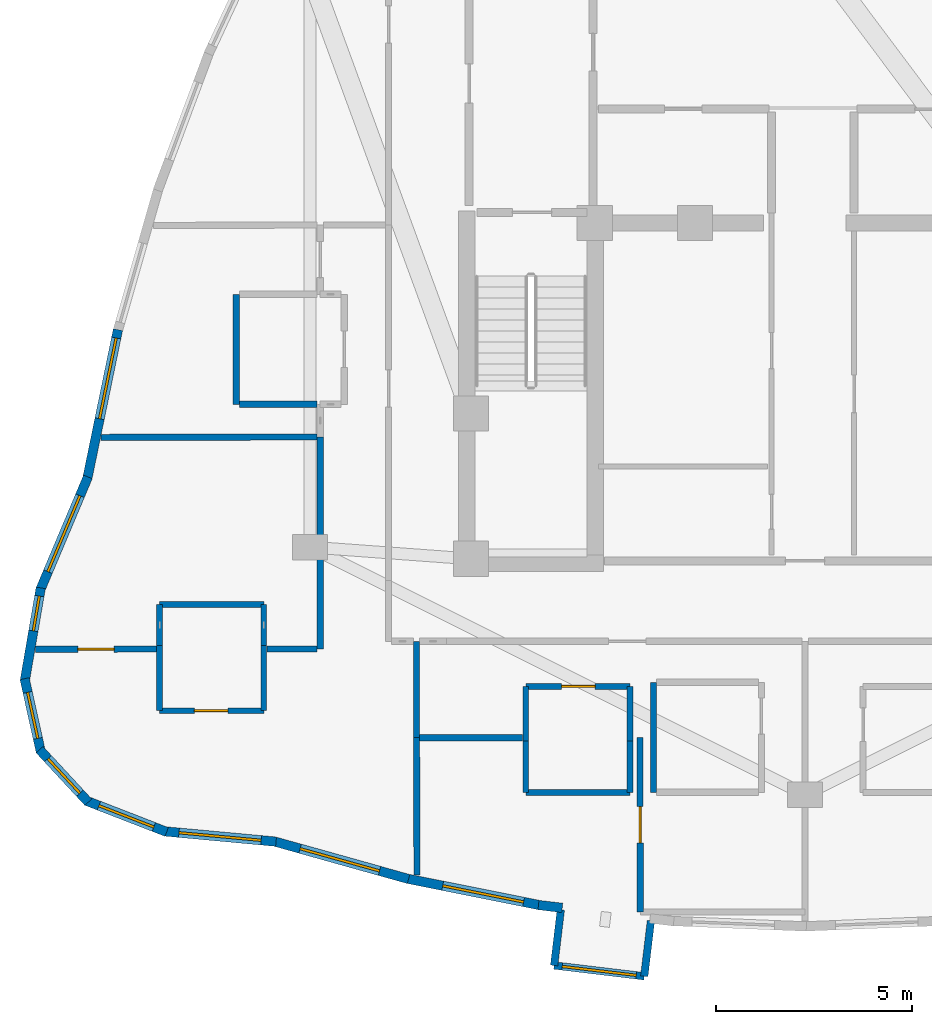
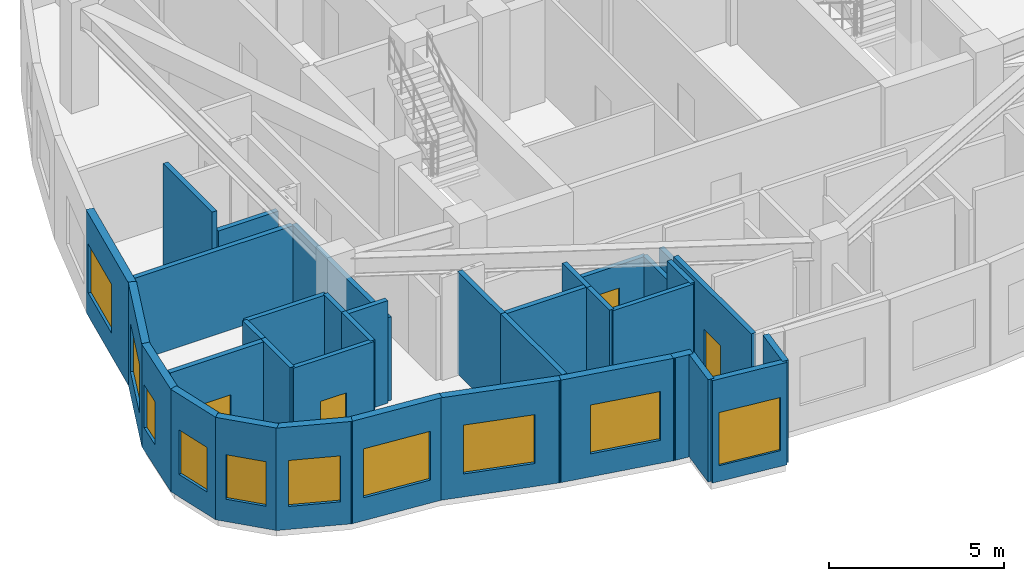
# One storey, part 7 of 13: 36 walls, 10 windows, 4 doors, 14 openings.
"""IFC4 building model written with IfcOpenShell, lengths in metres."""

from ifc_helpers import new_model, si_unit, direction, frame, frame_2d, origin, place, context, subcontext, project, spatial, rectangle, extrude, material, layer, layer_set, type_object, element, fill, save


model = new_model("IFC4")

# Units and contexts
model_context = context("Model", 3, precision=1e-05, world=origin(), true_north=direction((0.0, 1.0)))
body_context = subcontext(model_context, "Body", "Model", "MODEL_VIEW")
ifc_project = project(units=[si_unit("LENGTHUNIT", "METRE"), si_unit("AREAUNIT", "SQUARE_METRE"), si_unit("VOLUMEUNIT", "CUBIC_METRE"), si_unit("PLANEANGLEUNIT", "RADIAN"), si_unit("MASSUNIT", "GRAM", prefix="KILO")], contexts=[model_context])

# Site, building, storey
site_placement = place(None, origin())
site = spatial("IfcSite", under=ifc_project, at=site_placement, CompositionType="ELEMENT")
building_placement = place(site_placement, origin())
building = spatial("IfcBuilding", under=site, at=building_placement, Name="Miruveldt Soraemaru", CompositionType="ELEMENT")
storey_placement = place(building_placement, frame((0.0, 0.0, 252.0)))
storey = spatial("IfcBuildingStorey", under=building, at=storey_placement, Name="L69", CompositionType="ELEMENT", Elevation=252.0)

# Walls
ifc_material_1 = material(Name="White powder-coated aluminium EN AW-6060 T6", Category="aluminium")
ifc_layer_1 = layer(ifc_material_1, 0.18994140625, Name="White powder-coated aluminium EN AW-6060 T6", Category="aluminium")
ifc_layer_set_1 = layer_set([ifc_layer_1], Name="White powder-coated aluminium EN AW-6060 T6")
wall_type_1 = type_object("IfcWallType", Name="WALL-BAY-ALU190", PredefinedType="SOLIDWALL", material=ifc_layer_set_1)
for number, where, z_axis, x_axis, name in (
    (1, (37.783935546875, 26.564697265625, 0.0), (0.0, 0.0, 1.0), (-0.119077659317, -0.992884943511, 0.0), "L69 Bay Window Side Cheek 1L"),
    (2, (39.90869140625, 24.87451171875, 0.0), (0.0, 0.0, 1.0), (0.119246559468, 0.992864672579, 0.0), "L69 Bay Window Side Cheek 1R"),
):
    element("IfcWall", number, at=place(storey_placement, frame(where, z_axis=z_axis, x_axis=x_axis)), inside=storey, type_object=wall_type_1, Name=name, PredefinedType="SOLIDWALL", context=body_context, shape_type="SweptSolid", body=[
        extrude(rectangle(XDim=1.425048828125, YDim=0.18994140625, at=frame_2d((0.71240234375, 0.0))), origin(), (0.0, 0.0, 1.0), 3.56494140625),
    ])

# Wall, opening, window
wall_1_placement = place(storey_placement, frame((37.6142578125, 25.14990234375, 0.0), z_axis=(0.0, 0.0, 1.0), x_axis=(0.992873838721, -0.119170216012, 0.0)))
wall_1 = element("IfcWall", 3, at=wall_1_placement, inside=storey, type_object=wall_type_1, Name="L69 Bay Window Front Frame 1", PredefinedType="SOLIDWALL", context=body_context, shape_type="SweptSolid", body=[
    extrude(rectangle(XDim=2.310791015625, YDim=0.18994140625, at=frame_2d((1.1552734375, 0.0))), origin(), (0.0, 0.0, 1.0), 3.56494140625),
])
opening_1_placement = place(wall_1_placement, frame((0.2060546875, 0.0, 0.550048828125)))
opening_1 = element("IfcOpeningElement", 4, at=opening_1_placement, cuts=wall_1, Name="Opening WN-6", PredefinedType="OPENING", context=body_context, shape_type="SweptSolid", body=[
    extrude(rectangle(XDim=1.89990234375, YDim=1.85009765625, at=frame_2d((0.949951171875, 0.925048828125))), frame((0.0, 0.10498046875, 0.0), z_axis=(0.0, -1.0, 0.0), x_axis=(1.0, 0.0, 0.0)), (0.0, 0.0, 1.0), 0.2099609375),
])
ifc_material_2 = material(Name="Triple low-e insulated glazing", Category="glass")
window_type_1 = type_object("IfcWindowType", Name="WIN-BAYW-1900x1850", PartitioningType="SINGLE_PANEL", PredefinedType="WINDOW", material=ifc_material_2)
window_1_placement = place(opening_1_placement, origin())
window_1 = element("IfcWindow", 5, at=window_1_placement, inside=storey, type_object=window_type_1, Name="L69 Projecting Bay Window 1", OverallHeight=1.85009765625, OverallWidth=1.89990234375, PartitioningType="SINGLE_PANEL", PredefinedType="WINDOW", context=body_context, shape_type="SweptSolid", body=[
    extrude(rectangle(XDim=1.89990234375, YDim=1.85009765625, at=frame_2d((0.949951171875, 0.925048828125))), frame((0.0, 0.030029296875, 0.0), z_axis=(0.0, -1.0, 0.0), x_axis=(1.0, 0.0, 0.0)), (0.0, 0.0, 1.0), 0.06005859375),
])
fill(opening_1, window_1)

ifc_material_3 = material(Name="Precast concrete C45/55 (45 MPa)", Category="concrete")
ifc_layer_2 = layer(ifc_material_3, 0.239990234375, Name="Precast concrete C45/55 (45 MPa)", Category="concrete")
ifc_layer_set_2 = layer_set([ifc_layer_2], Name="Precast concrete C45/55 (45 MPa)")
wall_type_2 = type_object("IfcWallType", Name="WALL-EXT-PC240", PredefinedType="SOLIDWALL", material=ifc_layer_set_2)
wall_2_placement = place(storey_placement, frame((26.51025390625, 41.334716796875, 0.0), z_axis=(0.0, 0.0, 1.0), x_axis=(-0.201598089636, -0.979468330399, 0.0)))
wall_2 = element("IfcWall", 6, at=wall_2_placement, inside=storey, type_object=wall_type_2, Name="L69 Precast Concrete Facade Wall 14", PredefinedType="SOLIDWALL", context=body_context, shape_type="SweptSolid", body=[
    extrude(rectangle(XDim=3.894775390625, YDim=0.239990234375, at=frame_2d((1.947265625, 0.0))), origin(), (0.0, 0.0, 1.0), 3.56494140625),
])
opening_2_placement = place(wall_2_placement, frame((0.216064453125, 0.0, 0.800048828125)))
opening_2 = element("IfcOpeningElement", 7, at=opening_2_placement, cuts=wall_2, Name="Opening WN-1", PredefinedType="OPENING", context=body_context, shape_type="SweptSolid", body=[
    extrude(rectangle(XDim=2.10009765625, YDim=1.699951171875, at=frame_2d((1.050048828125, 0.85009765625))), frame((0.0, 0.1298828125, 0.0), z_axis=(0.0, -1.0, 0.0), x_axis=(1.0, 0.0, 0.0)), (0.0, 0.0, 1.0), 0.260009765625),
])
window_type_2 = type_object("IfcWindowType", Name="WIN-PUNCH-2100x1700", PartitioningType="SINGLE_PANEL", PredefinedType="WINDOW", material=ifc_material_2)
window_2_placement = place(opening_2_placement, origin())
window_2 = element("IfcWindow", 8, at=window_2_placement, inside=storey, type_object=window_type_2, Name="L69 Punched Triple-Glazed Window 14.1", OverallHeight=1.699951171875, OverallWidth=2.10009765625, PartitioningType="SINGLE_PANEL", PredefinedType="WINDOW", context=body_context, shape_type="SweptSolid", body=[
    extrude(rectangle(XDim=2.10009765625, YDim=1.699951171875, at=frame_2d((1.050048828125, 0.85009765625))), frame((0.0, 0.030029296875, 0.0), z_axis=(0.0, -1.0, 0.0), x_axis=(1.0, 0.0, 0.0)), (0.0, 0.0, 1.0), 0.06005859375),
])
fill(opening_2, window_2)

wall_3_placement = place(storey_placement, frame((25.745849609375, 37.586669921875, 0.0), z_axis=(0.0, 0.0, 1.0), x_axis=(-0.388606577421, -0.921403781187, 0.0)))
wall_3 = element("IfcWall", 9, at=wall_3_placement, inside=storey, type_object=wall_type_2, Name="L69 Precast Concrete Facade Wall 15", PredefinedType="SOLIDWALL", context=body_context, shape_type="SweptSolid", body=[
    extrude(rectangle(XDim=3.137451171875, YDim=0.239990234375, at=frame_2d((1.56884765625, 0.0))), origin(), (0.0, 0.0, 1.0), 3.56494140625),
])
opening_3_placement = place(wall_3_placement, frame((0.51904296875, 0.0, 0.800048828125)))
opening_3 = element("IfcOpeningElement", 10, at=opening_3_placement, cuts=wall_3, Name="Opening WN-1", PredefinedType="OPENING", context=body_context, shape_type="SweptSolid", body=[
    extrude(rectangle(XDim=2.10009765625, YDim=1.699951171875, at=frame_2d((1.050048828125, 0.85009765625))), frame((0.0, 0.1298828125, 0.0), z_axis=(0.0, -1.0, 0.0), x_axis=(1.0, 0.0, 0.0)), (0.0, 0.0, 1.0), 0.260009765625),
])
window_3_placement = place(opening_3_placement, origin())
window_3 = element("IfcWindow", 11, at=window_3_placement, inside=storey, type_object=window_type_2, Name="L69 Punched Triple-Glazed Window 15.1", OverallHeight=1.699951171875, OverallWidth=2.10009765625, PartitioningType="SINGLE_PANEL", PredefinedType="WINDOW", context=body_context, shape_type="SweptSolid", body=[
    extrude(rectangle(XDim=2.10009765625, YDim=1.699951171875, at=frame_2d((1.050048828125, 0.85009765625))), frame((0.0, 0.030029296875, 0.0), z_axis=(0.0, -1.0, 0.0), x_axis=(1.0, 0.0, 0.0)), (0.0, 0.0, 1.0), 0.06005859375),
])
fill(opening_3, window_3)

wall_4_placement = place(storey_placement, frame((24.5458984375, 34.762451171875, 0.0), z_axis=(0.0, 0.0, 1.0), x_axis=(-0.169328349246, -0.98555969385, 0.0)))
wall_4 = element("IfcWall", 12, at=wall_4_placement, inside=storey, type_object=wall_type_2, Name="L69 Precast Concrete Facade Wall 16", PredefinedType="SOLIDWALL", context=body_context, shape_type="SweptSolid", body=[
    extrude(rectangle(XDim=2.41650390625, YDim=0.239990234375, at=frame_2d((1.208251953125, 0.0))), origin(), (0.0, 0.0, 1.0), 3.56494140625),
])
opening_4_placement = place(wall_4_placement, frame((0.2119140625, 0.0, 0.780029296875)))
opening_4 = element("IfcOpeningElement", 13, at=opening_4_placement, cuts=wall_4, Name="Opening WN-7", PredefinedType="OPENING", context=body_context, shape_type="SweptSolid", body=[
    extrude(rectangle(XDim=0.89990234375, YDim=1.5, at=frame_2d((0.449951171875, 0.75))), frame((0.0, 0.1298828125, 0.0), z_axis=(0.0, -1.0, 0.0), x_axis=(1.0, 0.0, 0.0)), (0.0, 0.0, 1.0), 0.260009765625),
])
window_type_3 = type_object("IfcWindowType", Name="WIN-PUNCH-900x1500", PartitioningType="SINGLE_PANEL", PredefinedType="WINDOW", material=ifc_material_2)
window_4_placement = place(opening_4_placement, origin())
window_4 = element("IfcWindow", 14, at=window_4_placement, inside=storey, type_object=window_type_3, Name="L69 Punched Triple-Glazed Window 16.1", OverallHeight=1.5, OverallWidth=0.89990234375, PartitioningType="SINGLE_PANEL", PredefinedType="WINDOW", context=body_context, shape_type="SweptSolid", body=[
    extrude(rectangle(XDim=0.89990234375, YDim=1.5, at=frame_2d((0.449951171875, 0.75))), frame((0.0, 0.030029296875, 0.0), z_axis=(0.0, -1.0, 0.0), x_axis=(1.0, 0.0, 0.0)), (0.0, 0.0, 1.0), 0.06005859375),
])
fill(opening_4, window_4)

wall_5_placement = place(storey_placement, frame((24.135009765625, 32.449462890625, 0.0), z_axis=(0.0, 0.0, 1.0), x_axis=(0.215794628874, -0.976438773374, 0.0)))
wall_5 = element("IfcWall", 15, at=wall_5_placement, inside=storey, type_object=wall_type_2, Name="L69 Precast Concrete Facade Wall 17", PredefinedType="SOLIDWALL", context=body_context, shape_type="SweptSolid", body=[
    extrude(rectangle(XDim=1.912109375, YDim=0.239990234375, at=frame_2d((0.9560546875, 0.0))), origin(), (0.0, 0.0, 1.0), 3.56494140625),
])
opening_5_placement = place(wall_5_placement, frame((0.35595703125, 0.0, 0.780029296875)))
opening_5 = element("IfcOpeningElement", 16, at=opening_5_placement, cuts=wall_5, Name="Opening WN-4", PredefinedType="OPENING", context=body_context, shape_type="SweptSolid", body=[
    extrude(rectangle(XDim=1.199951171875, YDim=1.550048828125, at=frame_2d((0.60009765625, 0.77490234375))), frame((0.0, 0.1298828125, 0.0), z_axis=(0.0, -1.0, 0.0), x_axis=(1.0, 0.0, 0.0)), (0.0, 0.0, 1.0), 0.260009765625),
])
window_type_4 = type_object("IfcWindowType", Name="WIN-PUNCH-1200x1550", PartitioningType="SINGLE_PANEL", PredefinedType="WINDOW", material=ifc_material_2)
window_5_placement = place(opening_5_placement, origin())
window_5 = element("IfcWindow", 17, at=window_5_placement, inside=storey, type_object=window_type_4, Name="L69 Punched Triple-Glazed Window 17.1", OverallHeight=1.550048828125, OverallWidth=1.199951171875, PartitioningType="SINGLE_PANEL", PredefinedType="WINDOW", context=body_context, shape_type="SweptSolid", body=[
    extrude(rectangle(XDim=1.199951171875, YDim=1.550048828125, at=frame_2d((0.60009765625, 0.77490234375))), frame((0.0, 0.030029296875, 0.0), z_axis=(0.0, -1.0, 0.0), x_axis=(1.0, 0.0, 0.0)), (0.0, 0.0, 1.0), 0.06005859375),
])
fill(opening_5, window_5)

wall_6_placement = place(storey_placement, frame((24.516357421875, 30.642333984375, 0.0), z_axis=(0.0, 0.0, 1.0), x_axis=(0.680158207142, -0.733065354015, 0.0)))
wall_6 = element("IfcWall", 18, at=wall_6_placement, inside=storey, type_object=wall_type_2, Name="L69 Precast Concrete Facade Wall 18", PredefinedType="SOLIDWALL", context=body_context, shape_type="SweptSolid", body=[
    extrude(rectangle(XDim=1.82275390625, YDim=0.239990234375, at=frame_2d((0.911376953125, 0.0))), origin(), (0.0, 0.0, 1.0), 3.56494140625),
])
opening_6_placement = place(wall_6_placement, frame((0.31103515625, 0.0, 0.780029296875)))
opening_6 = element("IfcOpeningElement", 19, at=opening_6_placement, cuts=wall_6, Name="Opening WN-4", PredefinedType="OPENING", context=body_context, shape_type="SweptSolid", body=[
    extrude(rectangle(XDim=1.199951171875, YDim=1.550048828125, at=frame_2d((0.60009765625, 0.77490234375))), frame((0.0, 0.1298828125, 0.0), z_axis=(0.0, -1.0, 0.0), x_axis=(1.0, 0.0, 0.0)), (0.0, 0.0, 1.0), 0.260009765625),
])
window_6_placement = place(opening_6_placement, origin())
window_6 = element("IfcWindow", 20, at=window_6_placement, inside=storey, type_object=window_type_4, Name="L69 Punched Triple-Glazed Window 18.1", OverallHeight=1.550048828125, OverallWidth=1.199951171875, PartitioningType="SINGLE_PANEL", PredefinedType="WINDOW", context=body_context, shape_type="SweptSolid", body=[
    extrude(rectangle(XDim=1.199951171875, YDim=1.550048828125, at=frame_2d((0.60009765625, 0.77490234375))), frame((0.0, 0.030029296875, 0.0), z_axis=(0.0, -1.0, 0.0), x_axis=(1.0, 0.0, 0.0)), (0.0, 0.0, 1.0), 0.06005859375),
])
fill(opening_6, window_6)

wall_7_placement = place(storey_placement, frame((25.69970703125, 29.344482421875, 0.0), z_axis=(0.0, 0.0, 1.0), x_axis=(0.932289565547, -0.361712822516, 0.0)))
wall_7 = element("IfcWall", 21, at=wall_7_placement, inside=storey, type_object=wall_type_2, Name="L69 Precast Concrete Facade Wall 19", PredefinedType="SOLIDWALL", context=body_context, shape_type="SweptSolid", body=[
    extrude(rectangle(XDim=2.200927734375, YDim=0.239990234375, at=frame_2d((1.1005859375, 0.0))), origin(), (0.0, 0.0, 1.0), 3.56494140625),
])
opening_7_placement = place(wall_7_placement, frame((0.35107421875, 0.0, 0.800048828125)))
opening_7 = element("IfcOpeningElement", 22, at=opening_7_placement, cuts=wall_7, Name="Opening WN-3", PredefinedType="OPENING", context=body_context, shape_type="SweptSolid", body=[
    extrude(rectangle(XDim=1.5, YDim=1.60009765625, at=frame_2d((0.75, 0.800048828125))), frame((0.0, 0.1298828125, 0.0), z_axis=(0.0, -1.0, 0.0), x_axis=(1.0, 0.0, 0.0)), (0.0, 0.0, 1.0), 0.260009765625),
])
window_type_5 = type_object("IfcWindowType", Name="WIN-PUNCH-1500x1600", PartitioningType="SINGLE_PANEL", PredefinedType="WINDOW", material=ifc_material_2)
window_7_placement = place(opening_7_placement, origin())
window_7 = element("IfcWindow", 23, at=window_7_placement, inside=storey, type_object=window_type_5, Name="L69 Punched Triple-Glazed Window 19.1", OverallHeight=1.60009765625, OverallWidth=1.5, PartitioningType="SINGLE_PANEL", PredefinedType="WINDOW", context=body_context, shape_type="SweptSolid", body=[
    extrude(rectangle(XDim=1.5, YDim=1.60009765625, at=frame_2d((0.75, 0.800048828125))), frame((0.0, 0.030029296875, 0.0), z_axis=(0.0, -1.0, 0.0), x_axis=(1.0, 0.0, 0.0)), (0.0, 0.0, 1.0), 0.06005859375),
])
fill(opening_7, window_7)

wall_8_placement = place(storey_placement, frame((27.68408203125, 28.564208984375, 0.0), z_axis=(0.0, 0.0, 1.0), x_axis=(0.99576007386, -0.091988452029, 0.0)))
wall_8 = element("IfcWall", 24, at=wall_8_placement, inside=storey, type_object=wall_type_2, Name="L69 Precast Concrete Facade Wall 20", PredefinedType="SOLIDWALL", context=body_context, shape_type="SweptSolid", body=[
    extrude(rectangle(XDim=2.86376953125, YDim=0.239990234375, at=frame_2d((1.431884765625, 0.0))), origin(), (0.0, 0.0, 1.0), 3.56494140625),
])
opening_8_placement = place(wall_8_placement, frame((0.382080078125, 0.0, 0.800048828125)))
opening_8 = element("IfcOpeningElement", 25, at=opening_8_placement, cuts=wall_8, Name="Opening WN-1", PredefinedType="OPENING", context=body_context, shape_type="SweptSolid", body=[
    extrude(rectangle(XDim=2.10009765625, YDim=1.699951171875, at=frame_2d((1.050048828125, 0.85009765625))), frame((0.0, 0.1298828125, 0.0), z_axis=(0.0, -1.0, 0.0), x_axis=(1.0, 0.0, 0.0)), (0.0, 0.0, 1.0), 0.260009765625),
])
window_8_placement = place(opening_8_placement, origin())
window_8 = element("IfcWindow", 26, at=window_8_placement, inside=storey, type_object=window_type_2, Name="L69 Punched Triple-Glazed Window 20.1", OverallHeight=1.699951171875, OverallWidth=2.10009765625, PartitioningType="SINGLE_PANEL", PredefinedType="WINDOW", context=body_context, shape_type="SweptSolid", body=[
    extrude(rectangle(XDim=2.10009765625, YDim=1.699951171875, at=frame_2d((1.050048828125, 0.85009765625))), frame((0.0, 0.030029296875, 0.0), z_axis=(0.0, -1.0, 0.0), x_axis=(1.0, 0.0, 0.0)), (0.0, 0.0, 1.0), 0.06005859375),
])
fill(opening_8, window_8)

wall_9_placement = place(storey_placement, frame((30.467041015625, 28.3134765625, 0.0), z_axis=(0.0, 0.0, 1.0), x_axis=(0.962959054134, -0.269647659105, 0.0)))
wall_9 = element("IfcWall", 27, at=wall_9_placement, inside=storey, type_object=wall_type_2, Name="L69 Precast Concrete Facade Wall 21", PredefinedType="SOLIDWALL", context=body_context, shape_type="SweptSolid", body=[
    extrude(rectangle(XDim=3.574462890625, YDim=0.239990234375, at=frame_2d((1.787109375, 0.0))), origin(), (0.0, 0.0, 1.0), 3.56494140625),
])
opening_9_placement = place(wall_9_placement, frame((0.70703125, 0.0, 0.800048828125)))
opening_9 = element("IfcOpeningElement", 28, at=opening_9_placement, cuts=wall_9, Name="Opening WN-1", PredefinedType="OPENING", context=body_context, shape_type="SweptSolid", body=[
    extrude(rectangle(XDim=2.10009765625, YDim=1.699951171875, at=frame_2d((1.050048828125, 0.85009765625))), frame((0.0, 0.1298828125, 0.0), z_axis=(0.0, -1.0, 0.0), x_axis=(1.0, 0.0, 0.0)), (0.0, 0.0, 1.0), 0.260009765625),
])
window_9_placement = place(opening_9_placement, origin())
window_9 = element("IfcWindow", 29, at=window_9_placement, inside=storey, type_object=window_type_2, Name="L69 Punched Triple-Glazed Window 21.1", OverallHeight=1.699951171875, OverallWidth=2.10009765625, PartitioningType="SINGLE_PANEL", PredefinedType="WINDOW", context=body_context, shape_type="SweptSolid", body=[
    extrude(rectangle(XDim=2.10009765625, YDim=1.699951171875, at=frame_2d((1.050048828125, 0.85009765625))), frame((0.0, 0.030029296875, 0.0), z_axis=(0.0, -1.0, 0.0), x_axis=(1.0, 0.0, 0.0)), (0.0, 0.0, 1.0), 0.06005859375),
])
fill(opening_9, window_9)

wall_10_placement = place(storey_placement, frame((33.84130859375, 27.365966796875, 0.0), z_axis=(0.0, 0.0, 1.0), x_axis=(0.980578001568, -0.196129505277, 0.0)))
wall_10 = element("IfcWall", 30, at=wall_10_placement, inside=storey, type_object=wall_type_2, Name="L69 Precast Concrete Facade Wall 22", PredefinedType="SOLIDWALL", context=body_context, shape_type="SweptSolid", body=[
    extrude(rectangle(XDim=3.511474609375, YDim=0.239990234375, at=frame_2d((1.755859375, 0.0))), origin(), (0.0, 0.0, 1.0), 3.56494140625),
])
opening_10_placement = place(wall_10_placement, frame((0.9560546875, 0.0, 0.800048828125)))
opening_10 = element("IfcOpeningElement", 31, at=opening_10_placement, cuts=wall_10, Name="Opening WN-1", PredefinedType="OPENING", context=body_context, shape_type="SweptSolid", body=[
    extrude(rectangle(XDim=2.10009765625, YDim=1.699951171875, at=frame_2d((1.050048828125, 0.85009765625))), frame((0.0, 0.1298828125, 0.0), z_axis=(0.0, -1.0, 0.0), x_axis=(1.0, 0.0, 0.0)), (0.0, 0.0, 1.0), 0.260009765625),
])
window_10_placement = place(opening_10_placement, origin())
window_10 = element("IfcWindow", 32, at=window_10_placement, inside=storey, type_object=window_type_2, Name="L69 Punched Triple-Glazed Window 22.1", OverallHeight=1.699951171875, OverallWidth=2.10009765625, PartitioningType="SINGLE_PANEL", PredefinedType="WINDOW", context=body_context, shape_type="SweptSolid", body=[
    extrude(rectangle(XDim=2.10009765625, YDim=1.699951171875, at=frame_2d((1.050048828125, 0.85009765625))), frame((0.0, 0.030029296875, 0.0), z_axis=(0.0, -1.0, 0.0), x_axis=(1.0, 0.0, 0.0)), (0.0, 0.0, 1.0), 0.06005859375),
])
fill(opening_10, window_10)

# Wall
wall_11_placement = place(storey_placement, frame((37.215576171875, 26.688232421875, 0.0), z_axis=(0.0, 0.0, 1.0), x_axis=(0.992888214359, -0.119050383393, 0.0)))
element("IfcWall", 33, at=wall_11_placement, inside=storey, type_object=wall_type_2, Name="L69 Precast Pier Wall 23A", PredefinedType="SOLIDWALL", context=body_context, shape_type="SweptSolid", body=[
    extrude(rectangle(XDim=0.609130859375, YDim=0.239990234375, at=frame_2d((0.3046875, 0.0))), origin(), (0.0, 0.0, 1.0), 3.56494140625),
])

# Wall, opening, door
ifc_material_4 = material(Name="Gypsum plasterboard lining", Category="gypsum")
ifc_layer_3 = layer(ifc_material_4, 0.14990234375, Name="Gypsum plasterboard lining", Category="gypsum")
ifc_layer_set_3 = layer_set([ifc_layer_3], Name="Gypsum plasterboard lining")
wall_type_3 = type_object("IfcWallType", Name="WALL-INT-PLUMB", PredefinedType="PLUMBINGWALL", material=ifc_layer_set_3)
wall_12_placement = place(storey_placement, frame((27.572998046875, 31.635009765625, 0.0), z_axis=(0.0, 0.0, 1.0), x_axis=(1.0, 0.0, 0.0)))
wall_12 = element("IfcWall", 34, at=wall_12_placement, inside=storey, type_object=wall_type_3, Name="L69 Partition Wall 29", PredefinedType="PLUMBINGWALL", context=body_context, shape_type="SweptSolid", body=[
    extrude(rectangle(XDim=2.64990234375, YDim=0.14990234375, at=frame_2d((1.324951171875, 0.0))), origin(), (0.0, 0.0, 1.0), 3.56494140625),
])
opening_11_placement = place(wall_12_placement, frame((0.885009765625, 0.0, 0.0)))
opening_11 = element("IfcOpeningElement", 35, at=opening_11_placement, cuts=wall_12, Name="Opening FD3", PredefinedType="OPENING", context=body_context, shape_type="SweptSolid", body=[
    extrude(rectangle(XDim=0.85009765625, YDim=2.10009765625, at=frame_2d((0.425048828125, 1.050048828125))), frame((0.0, 0.0849609375, 0.0), z_axis=(0.0, -1.0, 0.0), x_axis=(1.0, 0.0, 0.0)), (0.0, 0.0, 1.0), 0.169921875),
])
ifc_material_5 = material(Name="Anodised aluminium EN AW-6063 T6", Category="aluminium")
door_type_1 = type_object("IfcDoorType", Name="DOOR-FD3-850", OperationType="NOTDEFINED", PredefinedType="DOOR", material=ifc_material_5)
door_1_placement = place(opening_11_placement, origin())
door_1 = element("IfcDoor", 36, at=door_1_placement, inside=storey, type_object=door_type_1, Name="L69 Unit 6902 BTH Door", OperationType="SINGLE_SWING_RIGHT", OverallHeight=2.10009765625, OverallWidth=0.85009765625, PredefinedType="DOOR", context=body_context, shape_type="SweptSolid", body=[
    extrude(rectangle(XDim=0.85009765625, YDim=2.10009765625, at=frame_2d((0.425048828125, 1.050048828125))), frame((0.0, 0.02490234375, 0.0), z_axis=(0.0, -1.0, 0.0), x_axis=(1.0, 0.0, 0.0)), (0.0, 0.0, 1.0), 0.050048828125),
])
fill(opening_11, door_1)

wall_13_placement = place(storey_placement, frame((39.5419921875, 32.256103515625, 0.0), z_axis=(0.0, 0.0, 1.0), x_axis=(-1.0, 0.0, 0.0)))
wall_13 = element("IfcWall", 37, at=wall_13_placement, inside=storey, type_object=wall_type_3, Name="L69 Partition Wall 48", PredefinedType="PLUMBINGWALL", context=body_context, shape_type="SweptSolid", body=[
    extrude(rectangle(XDim=2.64990234375, YDim=0.14990234375, at=frame_2d((1.324951171875, 0.0))), origin(), (0.0, 0.0, 1.0), 2.903076171875),
])
opening_12_placement = place(wall_13_placement, frame((0.885009765625, 0.0, 0.0)))
opening_12 = element("IfcOpeningElement", 38, at=opening_12_placement, cuts=wall_13, Name="Opening FD3", PredefinedType="OPENING", context=body_context, shape_type="SweptSolid", body=[
    extrude(rectangle(XDim=0.85009765625, YDim=2.10009765625, at=frame_2d((0.425048828125, 1.050048828125))), frame((0.0, 0.0849609375, 0.0), z_axis=(0.0, -1.0, 0.0), x_axis=(1.0, 0.0, 0.0)), (0.0, 0.0, 1.0), 0.169921875),
])
door_2_placement = place(opening_12_placement, origin())
door_2 = element("IfcDoor", 39, at=door_2_placement, inside=storey, type_object=door_type_1, Name="L69 Unit 6903 BTH Door", OperationType="SINGLE_SWING_LEFT", OverallHeight=2.10009765625, OverallWidth=0.85009765625, PredefinedType="DOOR", context=body_context, shape_type="SweptSolid", body=[
    extrude(rectangle(XDim=0.85009765625, YDim=2.10009765625, at=frame_2d((0.425048828125, 1.050048828125))), frame((0.0, 0.02490234375, 0.0), z_axis=(0.0, -1.0, 0.0), x_axis=(1.0, 0.0, 0.0)), (0.0, 0.0, 1.0), 0.050048828125),
])
fill(opening_12, door_2)

# Walls
for number, where, z_axis, x_axis, name in (
    (40, (30.222900390625, 34.3349609375, 0.0), (0.0, 0.0, 1.0), (-1.0, 0.0, 0.0), "L69 Partition Wall 41"),
    (41, (36.89208984375, 29.555908203125, 0.0), (0.0, 0.0, 1.0), (1.0, 0.0, 0.0), "L69 Partition Wall 58"),
):
    element("IfcWall", number, at=place(storey_placement, frame(where, z_axis=z_axis, x_axis=x_axis)), inside=storey, type_object=wall_type_3, Name=name, PredefinedType="PLUMBINGWALL", context=body_context, shape_type="SweptSolid", body=[
        extrude(rectangle(XDim=2.64990234375, YDim=0.14990234375, at=frame_2d((1.324951171875, 0.0))), origin(), (0.0, 0.0, 1.0), 3.56494140625),
    ])
for number, where, z_axis, x_axis, name in (
    (42, (30.222900390625, 31.635009765625, 0.0), (0.0, 0.0, 1.0), (0.0, 1.0, 0.0), "L69 Partition Wall 27"),
    (43, (27.572998046875, 33.2958984375, 0.0), (0.0, 0.0, 1.0), (0.0, -1.0, 0.0), "L69 Partition Wall 28"),
):
    element("IfcWall", number, at=place(storey_placement, frame(where, z_axis=z_axis, x_axis=x_axis)), inside=storey, type_object=wall_type_3, Name=name, PredefinedType="PLUMBINGWALL", context=body_context, shape_type="SweptSolid", body=[
        extrude(rectangle(XDim=1.660888671875, YDim=0.14990234375, at=frame_2d((0.83056640625, 0.0))), origin(), (0.0, 0.0, 1.0), 3.56494140625),
    ])
wall_14_placement = place(storey_placement, frame((39.5419921875, 30.860107421875, 0.0), z_axis=(0.0, 0.0, 1.0), x_axis=(0.0, 1.0, 0.0)))
element("IfcWall", 44, at=wall_14_placement, inside=storey, type_object=wall_type_3, Name="L69 Partition Wall 47", PredefinedType="PLUMBINGWALL", context=body_context, shape_type="SweptSolid", body=[
    extrude(rectangle(XDim=1.39599609375, YDim=0.14990234375, at=frame_2d((0.697998046875, 0.0))), origin(), (0.0, 0.0, 1.0), 2.903076171875),
])
wall_15_placement = place(storey_placement, frame((36.89208984375, 32.256103515625, 0.0), z_axis=(0.0, 0.0, 1.0), x_axis=(0.0, -1.0, 0.0)))
element("IfcWall", 45, at=wall_15_placement, inside=storey, type_object=wall_type_3, Name="L69 Partition Wall 49", PredefinedType="PLUMBINGWALL", context=body_context, shape_type="SweptSolid", body=[
    extrude(rectangle(XDim=1.39599609375, YDim=0.14990234375, at=frame_2d((0.697998046875, 0.0))), origin(), (0.0, 0.0, 1.0), 3.56494140625),
])
for number, where, z_axis, x_axis, name in (
    (46, (36.89208984375, 30.860107421875, 0.0), (0.0, 0.0, 1.0), (0.0, -1.0, 0.0), "L69 Partition Wall 57"),
    (47, (39.5419921875, 29.555908203125, 0.0), (0.0, 0.0, 1.0), (0.0, 1.0, 0.0), "L69 Partition Wall 59"),
):
    element("IfcWall", number, at=place(storey_placement, frame(where, z_axis=z_axis, x_axis=x_axis)), inside=storey, type_object=wall_type_3, Name=name, PredefinedType="PLUMBINGWALL", context=body_context, shape_type="SweptSolid", body=[
        extrude(rectangle(XDim=1.30419921875, YDim=0.14990234375, at=frame_2d((0.652099609375, 0.0))), origin(), (0.0, 0.0, 1.0), 3.56494140625),
    ])
for number, where, z_axis, x_axis, name in (
    (48, (30.222900390625, 33.2958984375, 0.0), (0.0, 0.0, 1.0), (0.0, 1.0, 0.0), "L69 Partition Wall 40"),
    (49, (27.572998046875, 34.3349609375, 0.0), (0.0, 0.0, 1.0), (0.0, -1.0, 0.0), "L69 Partition Wall 42"),
):
    element("IfcWall", number, at=place(storey_placement, frame(where, z_axis=z_axis, x_axis=x_axis)), inside=storey, type_object=wall_type_3, Name=name, PredefinedType="PLUMBINGWALL", context=body_context, shape_type="SweptSolid", body=[
        extrude(rectangle(XDim=1.0390625, YDim=0.14990234375, at=frame_2d((0.51953125, 0.0))), origin(), (0.0, 0.0, 1.0), 3.56494140625),
    ])

# Wall, opening, door
ifc_material_6 = material(Name="Concrete C40/50 (40 MPa)", Category="concrete")
ifc_layer_4 = layer(ifc_material_6, 0.159912109375, Name="Concrete C40/50 (40 MPa)", Category="concrete")
ifc_layer_set_4 = layer_set([ifc_layer_4], Name="Concrete C40/50 (40 MPa)")
wall_type_4 = type_object("IfcWallType", Name="WALL-INT-RC160", PredefinedType="SOLIDWALL", material=ifc_layer_set_4)
wall_16_placement = place(storey_placement, frame((39.800048828125, 30.949951171875, 0.0), z_axis=(0.0, 0.0, 1.0), x_axis=(0.001540660656, -0.999998813182, 0.0)))
wall_16 = element("IfcWall", 50, at=wall_16_placement, inside=storey, type_object=wall_type_4, Name="L69 Partition Wall 55", PredefinedType="SOLIDWALL", context=body_context, shape_type="SweptSolid", body=[
    extrude(rectangle(XDim=4.43701171875, YDim=0.159912109375, at=frame_2d((2.218505859375, 0.0))), origin(), (0.0, 0.0, 1.0), 3.56494140625),
])
opening_13_placement = place(wall_16_placement, frame((1.759033203125, 0.0, 0.0)))
opening_13 = element("IfcOpeningElement", 51, at=opening_13_placement, cuts=wall_16, Name="Opening D3A", PredefinedType="OPENING", context=body_context, shape_type="SweptSolid", body=[
    extrude(rectangle(XDim=0.919921875, YDim=2.10009765625, at=frame_2d((0.4599609375, 1.050048828125))), frame((0.0, 0.08984375, 0.0), z_axis=(0.0, -1.0, 0.0), x_axis=(1.0, 0.0, 0.0)), (0.0, 0.0, 1.0), 0.179931640625),
])
door_type_2 = type_object("IfcDoorType", Name="DOOR-INT-920", OperationType="NOTDEFINED", PredefinedType="DOOR", material=ifc_material_5)
door_3_placement = place(opening_13_placement, origin())
door_3 = element("IfcDoor", 52, at=door_3_placement, inside=storey, type_object=door_type_2, Name="L69 Unit 6903 BD1 Door", OperationType="SINGLE_SWING_LEFT", OverallHeight=2.10009765625, OverallWidth=0.919921875, PredefinedType="DOOR", context=body_context, shape_type="SweptSolid", body=[
    extrude(rectangle(XDim=0.919921875, YDim=2.10009765625, at=frame_2d((0.4599609375, 1.050048828125))), frame((0.0, 0.02490234375, 0.0), z_axis=(0.0, -1.0, 0.0), x_axis=(1.0, 0.0, 0.0)), (0.0, 0.0, 1.0), 0.050048828125),
])
fill(opening_13, door_3)

wall_17_placement = place(storey_placement, frame((27.492919921875, 33.2060546875, 0.0), z_axis=(0.0, 0.0, 1.0), x_axis=(-0.999995696007, -0.002933933927, 0.0)))
wall_17 = element("IfcWall", 53, at=wall_17_placement, inside=storey, type_object=wall_type_4, Name="L69 Partition Wall 35", PredefinedType="SOLIDWALL", context=body_context, shape_type="SweptSolid", body=[
    extrude(rectangle(XDim=3.078857421875, YDim=0.159912109375, at=frame_2d((1.53955078125, 0.0))), origin(), (0.0, 0.0, 1.0), 3.56494140625),
])
opening_14_placement = place(wall_17_placement, frame((1.080078125, 0.0, 0.0)))
opening_14 = element("IfcOpeningElement", 54, at=opening_14_placement, cuts=wall_17, Name="Opening D3A", PredefinedType="OPENING", context=body_context, shape_type="SweptSolid", body=[
    extrude(rectangle(XDim=0.919921875, YDim=2.10009765625, at=frame_2d((0.4599609375, 1.050048828125))), frame((0.0, 0.08984375, 0.0), z_axis=(0.0, -1.0, 0.0), x_axis=(1.0, 0.0, 0.0)), (0.0, 0.0, 1.0), 0.179931640625),
])
door_4_placement = place(opening_14_placement, origin())
door_4 = element("IfcDoor", 55, at=door_4_placement, inside=storey, type_object=door_type_2, Name="L69 Unit 6902 BD1 Door", OperationType="SINGLE_SWING_RIGHT", OverallHeight=2.10009765625, OverallWidth=0.919921875, PredefinedType="DOOR", context=body_context, shape_type="SweptSolid", body=[
    extrude(rectangle(XDim=0.919921875, YDim=2.10009765625, at=frame_2d((0.4599609375, 1.050048828125))), frame((0.0, 0.02490234375, 0.0), z_axis=(0.0, -1.0, 0.0), x_axis=(1.0, 0.0, 0.0)), (0.0, 0.0, 1.0), 0.050048828125),
])
fill(opening_14, door_4)

# Walls
wall_18_placement = place(storey_placement, frame((31.58203125, 38.60302734375, 0.0), z_axis=(0.0, 0.0, 1.0), x_axis=(-0.999998003557, -0.001998219812, 0.0)))
element("IfcWall", 56, at=wall_18_placement, inside=storey, type_object=wall_type_4, Name="L69 Partition Wall 46", PredefinedType="SOLIDWALL", context=body_context, shape_type="SweptSolid", body=[
    extrude(rectangle(XDim=5.498046875, YDim=0.159912109375, at=frame_2d((2.7490234375, 0.0))), origin(), (0.0, 0.0, 1.0), 2.903076171875),
])
wall_19_placement = place(storey_placement, frame((31.662109375, 38.60302734375, 0.0), z_axis=(0.0, 0.0, 1.0), x_axis=(0.0, -1.0, 0.0)))
element("IfcWall", 57, at=wall_19_placement, inside=storey, type_object=wall_type_4, Name="L69 Partition Wall 33", PredefinedType="SOLIDWALL", context=body_context, shape_type="SweptSolid", body=[
    extrude(rectangle(XDim=5.39697265625, YDim=0.159912109375, at=frame_2d((2.698486328125, 0.0))), origin(), (0.0, 0.0, 1.0), 2.903076171875),
])
wall_20_placement = place(storey_placement, frame((34.123046875, 27.447021484375, 0.0), z_axis=(0.0, 0.0, 1.0), x_axis=(-0.003136310195, 0.999995081767, 0.0)))
element("IfcWall", 58, at=wall_20_placement, inside=storey, type_object=wall_type_4, Name="L69 Partition Wall 39", PredefinedType="SOLIDWALL", context=body_context, shape_type="SweptSolid", body=[
    extrude(rectangle(XDim=3.5029296875, YDim=0.159912109375, at=frame_2d((1.75146484375, 0.0))), origin(), (0.0, 0.0, 1.0), 3.56494140625),
])
wall_21_placement = place(storey_placement, frame((40.14208984375, 32.35595703125, 0.0), z_axis=(0.0, 0.0, 1.0), x_axis=(0.0, -1.0, 0.0)))
element("IfcWall", 59, at=wall_21_placement, inside=storey, type_object=wall_type_4, Name="L69 Partition Wall 52", PredefinedType="SOLIDWALL", context=body_context, shape_type="SweptSolid", body=[
    extrude(rectangle(XDim=2.800048828125, YDim=0.159912109375, at=frame_2d((1.39990234375, 0.0))), origin(), (0.0, 0.0, 1.0), 2.903076171875),
])
wall_22_placement = place(storey_placement, frame((29.52294921875, 42.235107421875, 0.0), z_axis=(0.0, 0.0, 1.0), x_axis=(0.0, -1.0, 0.0)))
element("IfcWall", 60, at=wall_22_placement, inside=storey, type_object=wall_type_4, Name="L69 Partition Wall 44", PredefinedType="SOLIDWALL", context=body_context, shape_type="SweptSolid", body=[
    extrude(rectangle(XDim=2.800048828125, YDim=0.159912109375, at=frame_2d((1.39990234375, 0.0))), origin(), (0.0, 0.0, 1.0), 3.56494140625),
])
wall_23_placement = place(storey_placement, frame((34.19189453125, 30.949951171875, 0.0), z_axis=(0.0, 0.0, 1.0), x_axis=(1.0, 0.0, 0.0)))
element("IfcWall", 61, at=wall_23_placement, inside=storey, type_object=wall_type_4, Name="L69 Partition Wall 54", PredefinedType="SOLIDWALL", context=body_context, shape_type="SweptSolid", body=[
    extrude(rectangle(XDim=2.6201171875, YDim=0.159912109375, at=frame_2d((1.31005859375, 0.0))), origin(), (0.0, 0.0, 1.0), 3.56494140625),
])
wall_24_placement = place(storey_placement, frame((34.112060546875, 30.949951171875, 0.0), z_axis=(0.0, 0.0, 1.0), x_axis=(0.0, 1.0, 0.0)))
element("IfcWall", 62, at=wall_24_placement, inside=storey, type_object=wall_type_4, Name="L69 Partition Wall 38", PredefinedType="SOLIDWALL", context=body_context, shape_type="SweptSolid", body=[
    extrude(rectangle(XDim=2.449951171875, YDim=0.159912109375, at=frame_2d((1.22509765625, 0.0))), origin(), (0.0, 0.0, 1.0), 3.56494140625),
])
wall_25_placement = place(storey_placement, frame((29.60302734375, 39.43505859375, 0.0), z_axis=(0.0, 0.0, 1.0), x_axis=(1.0, 0.0, 0.0)))
element("IfcWall", 63, at=wall_25_placement, inside=storey, type_object=wall_type_4, Name="L69 Partition Wall 45", PredefinedType="SOLIDWALL", context=body_context, shape_type="SweptSolid", body=[
    extrude(rectangle(XDim=1.97900390625, YDim=0.159912109375, at=frame_2d((0.989501953125, 0.0))), origin(), (0.0, 0.0, 1.0), 2.903076171875),
])
wall_26_placement = place(storey_placement, frame((31.58203125, 33.2060546875, 0.0), z_axis=(0.0, 0.0, 1.0), x_axis=(-1.0, 0.0, 0.0)))
element("IfcWall", 64, at=wall_26_placement, inside=storey, type_object=wall_type_4, Name="L69 Partition Wall 34", PredefinedType="SOLIDWALL", context=body_context, shape_type="SweptSolid", body=[
    extrude(rectangle(XDim=1.279052734375, YDim=0.159912109375, at=frame_2d((0.6396484375, 0.0))), origin(), (0.0, 0.0, 1.0), 3.56494140625),
])

save(model, "model.ifc")
